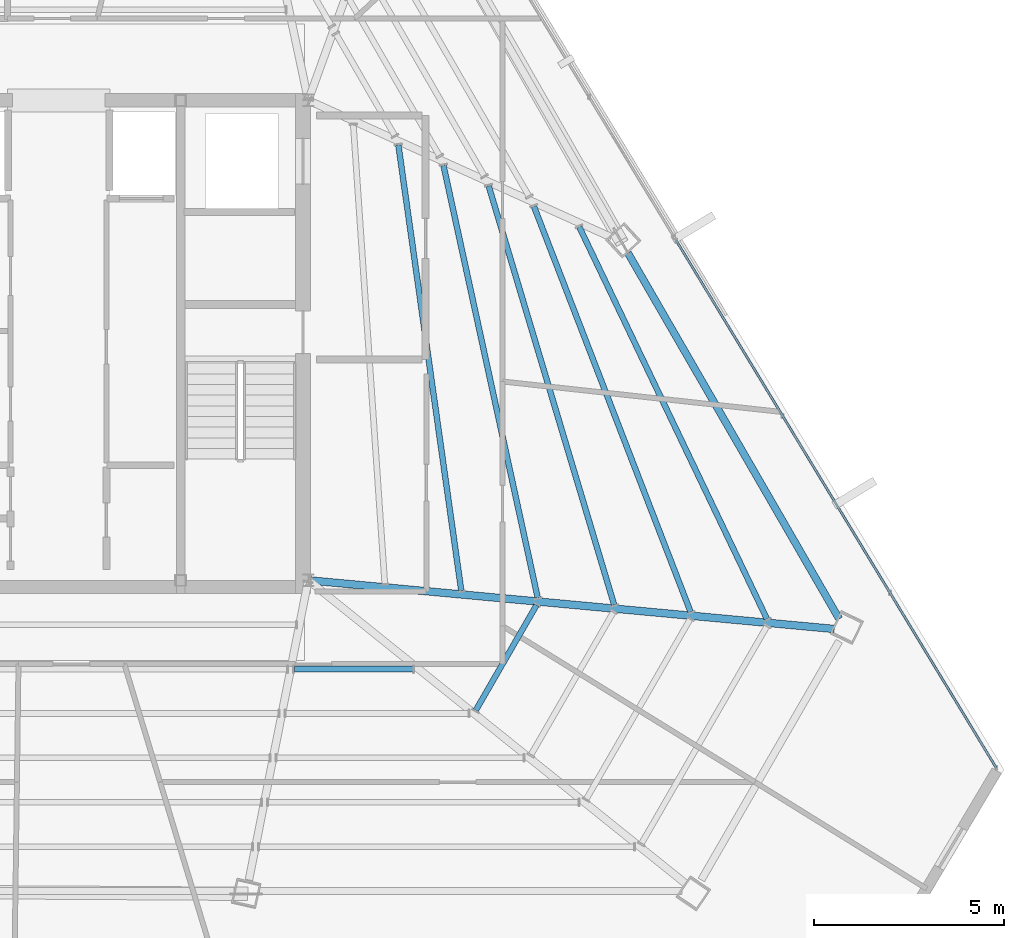
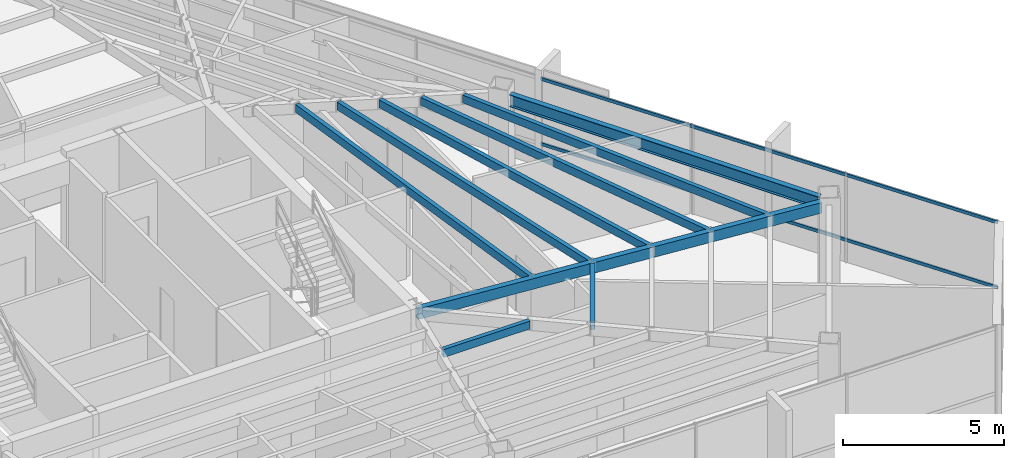
# One storey, part 24 of 47: 9 beams, 2 members, 1 element without a shape of its own.
"""IFC4 building model written with IfcOpenShell, lengths in metres."""

from ifc_helpers import new_model, si_unit, direction, frame, origin, origin_2d, place, context, subcontext, project, spatial, hollow_rectangle, i_section, extrude, source, transform, mapped, material, material_profile, profile_set, type_object, type_shapes, element, aggregate, save


model = new_model("IFC4")

# Units and contexts
model_context = context("Model", 3, precision=1e-05, world=origin(), true_north=direction((0.0, 1.0)))
body_context = subcontext(model_context, "Body", "Model", "MODEL_VIEW")
ifc_project = project(units=[si_unit("LENGTHUNIT", "METRE"), si_unit("AREAUNIT", "SQUARE_METRE"), si_unit("VOLUMEUNIT", "CUBIC_METRE"), si_unit("PLANEANGLEUNIT", "RADIAN"), si_unit("MASSUNIT", "GRAM", prefix="KILO")], contexts=[model_context])

# Site, building, storey
site_placement = place(None, origin())
site = spatial("IfcSite", under=ifc_project, at=site_placement, CompositionType="ELEMENT")
building_placement = place(site_placement, origin())
building = spatial("IfcBuilding", under=site, at=building_placement, Name="Caelisora Broadcast Tower", CompositionType="ELEMENT")
storey_placement = place(building_placement, frame((0.0, 0.0, 248.10009765625)))
storey = spatial("IfcBuildingStorey", under=building, at=storey_placement, Name="L65", CompositionType="ELEMENT", Elevation=248.10009765625)

# Beams
ifc_material_1 = material(Name="Steel Grade 350 (AS/NZS 3679.1)", Category="steel")
ifc_material_profile_1 = material_profile(ifc_material_1, i_section(OverallWidth=0.19091796875, OverallDepth=0.46044921875, WebThickness=0.010009765625, FlangeThickness=0.01611328125, at=origin_2d()), Name="Steel Grade 350 (AS/NZS 3679.1)")
ifc_profile_set_1 = profile_set([ifc_material_profile_1], Name="Steel Grade 350 (AS/NZS 3679.1)")
beam_type_1 = type_object("IfcBeamType", Name="PG06", PredefinedType="BEAM", material=ifc_profile_set_1)
shared_shape_1 = source(origin(), body_context, "Body", "SweptSolid", [
    extrude(i_section(OverallWidth=0.19091796875, OverallDepth=0.46044921875, WebThickness=0.010009765625, FlangeThickness=0.01611328125, at=origin_2d()), origin(), (0.0, 0.0, 1.0), 11.09130859375),
])
type_shapes(beam_type_1, [shared_shape_1])
beam_1_placement = place(storey_placement, frame((59.439208984375, 16.386474609375, 3.169677734375), z_axis=(-0.499995559283, 0.866027967618, 0.0), x_axis=(-0.866027967618, -0.499995559283, 0.0)))
element("IfcBeam", 1, at=beam_1_placement, inside=storey, type_object=beam_type_1, Name="L65 beam PG06", PredefinedType="BEAM", context=body_context, shape_type="MappedRepresentation", body=[
    mapped(shared_shape_1, transform((0.0, 0.0, 0.0), scale=1.0)),
])
ifc_material_2 = material(Name="Steel Grade 350 (AS/NZS 1163 C350L0)", Category="steel")
ifc_material_profile_2 = material_profile(ifc_material_2, hollow_rectangle(XDim=0.199951171875, YDim=0.39990234375, WallThickness=0.012451171875, at=origin_2d()), Name="Steel Grade 350 (AS/NZS 1163 C350L0)")
ifc_profile_set_2 = profile_set([ifc_material_profile_2], Name="Steel Grade 350 (AS/NZS 1163 C350L0)")
beam_type_2 = type_object("IfcBeamType", Name="PG07", PredefinedType="BEAM", material=ifc_profile_set_2)
shared_shape_2 = source(origin(), body_context, "Body", "SweptSolid", [
    extrude(hollow_rectangle(XDim=0.199951171875, YDim=0.39990234375, WallThickness=0.012451171875, at=origin_2d()), origin(), (0.0, 0.0, 1.0), 13.810546875),
])
type_shapes(beam_type_2, [shared_shape_2])
beam_2_placement = place(storey_placement, frame((45.559814453125, 17.39453125, 3.199951171875), z_axis=(0.995739802442, -0.092207623512, 0.0), x_axis=(0.092207623512, 0.995739802442, 0.0)))
element("IfcBeam", 2, at=beam_2_placement, inside=storey, type_object=beam_type_2, Name="L65 beam PG07", PredefinedType="BEAM", context=body_context, shape_type="MappedRepresentation", body=[
    mapped(shared_shape_2, transform((0.0, 0.0, 0.0), scale=1.0)),
])
ifc_material_profile_3 = material_profile(ifc_material_2, hollow_rectangle(XDim=0.14990234375, YDim=0.300048828125, WallThickness=0.010009765625, at=origin_2d()), Name="Steel Grade 350 (AS/NZS 1163 C350L0)")
ifc_profile_set_3 = profile_set([ifc_material_profile_3], Name="Steel Grade 350 (AS/NZS 1163 C350L0)")
beam_type_3 = type_object("IfcBeamType", Name="SB05", PredefinedType="JOIST", material=ifc_profile_set_3)
shared_shape_3 = source(origin(), body_context, "Body", "SweptSolid", [
    extrude(hollow_rectangle(XDim=0.14990234375, YDim=0.300048828125, WallThickness=0.010009765625, at=origin_2d()), origin(), (0.0, 0.0, 1.0), 11.814697265625),
])
beam_3_placement = place(storey_placement, frame((49.51708984375, 17.12548828125, 3.25), z_axis=(-0.139751902097, 0.99018655104, 0.0), x_axis=(-0.99018655104, -0.139751902097, 0.0)))
element("IfcBeam", 3, at=beam_3_placement, inside=storey, type_object=beam_type_3, Name="L65 beam SB05", PredefinedType="JOIST", context=body_context, shape_type="MappedRepresentation", body=[
    mapped(shared_shape_3, transform((0.0, 0.0, 0.0), scale=1.0)),
])
shared_shape_4 = source(origin(), body_context, "Body", "SweptSolid", [
    extrude(hollow_rectangle(XDim=0.14990234375, YDim=0.300048828125, WallThickness=0.010009765625, at=origin_2d()), origin(), (0.0, 0.0, 1.0), 11.61572265625),
])
beam_4_placement = place(storey_placement, frame((51.524658203125, 16.939697265625, 3.25), z_axis=(-0.2129784769, 0.977056891065, 0.0), x_axis=(-0.977056891065, -0.2129784769, 0.0)))
element("IfcBeam", 4, at=beam_4_placement, inside=storey, type_object=beam_type_3, Name="L65 beam SB05", PredefinedType="JOIST", context=body_context, shape_type="MappedRepresentation", body=[
    mapped(shared_shape_4, transform((0.0, 0.0, 0.0), scale=1.0)),
])
shared_shape_5 = source(origin(), body_context, "Body", "SweptSolid", [
    extrude(hollow_rectangle(XDim=0.14990234375, YDim=0.300048828125, WallThickness=0.010009765625, at=origin_2d()), origin(), (0.0, 0.0, 1.0), 11.48193359375),
])
beam_5_placement = place(storey_placement, frame((53.53173828125, 16.75390625, 3.25), z_axis=(-0.286965518725, 0.957940912094, 0.0), x_axis=(-0.957940912094, -0.286965518725, 0.0)))
element("IfcBeam", 5, at=beam_5_placement, inside=storey, type_object=beam_type_3, Name="L65 beam SB05", PredefinedType="JOIST", context=body_context, shape_type="MappedRepresentation", body=[
    mapped(shared_shape_5, transform((0.0, 0.0, 0.0), scale=1.0)),
])
shared_shape_6 = source(origin(), body_context, "Body", "SweptSolid", [
    extrude(hollow_rectangle(XDim=0.14990234375, YDim=0.300048828125, WallThickness=0.010009765625, at=origin_2d()), origin(), (0.0, 0.0, 1.0), 11.413818359375),
])
beam_6_placement = place(storey_placement, frame((57.543701171875, 16.3828125, 3.25), z_axis=(-0.431772597712, 0.901982496429, 0.0), x_axis=(-0.901982496429, -0.431772597712, 0.0)))
element("IfcBeam", 6, at=beam_6_placement, inside=storey, type_object=beam_type_3, Name="L65 beam SB05", PredefinedType="JOIST", context=body_context, shape_type="MappedRepresentation", body=[
    mapped(shared_shape_6, transform((0.0, 0.0, 0.0), scale=1.0)),
])
shared_shape_7 = source(origin(), body_context, "Body", "SweptSolid", [
    extrude(hollow_rectangle(XDim=0.14990234375, YDim=0.300048828125, WallThickness=0.010009765625, at=origin_2d()), origin(), (0.0, 0.0, 1.0), 3.1865234375),
])
beam_7_placement = place(storey_placement, frame((49.899658203125, 13.98779296875, 3.25), z_axis=(0.500012062035, 0.866018439653, 0.0), x_axis=(-0.866018439653, 0.500012062035, 0.0)))
element("IfcBeam", 7, at=beam_7_placement, inside=storey, type_object=beam_type_3, Name="L65 beam SB05", PredefinedType="JOIST", context=body_context, shape_type="MappedRepresentation", body=[
    mapped(shared_shape_7, transform((0.0, 0.0, 0.0), scale=1.0)),
])
shared_shape_8 = source(origin(), body_context, "Body", "SweptSolid", [
    extrude(hollow_rectangle(XDim=0.14990234375, YDim=0.300048828125, WallThickness=0.010009765625, at=origin_2d()), origin(), (0.0, 0.0, 1.0), 3.1064453125),
])
beam_8_placement = place(storey_placement, frame((45.13720703125, 15.068603515625, 3.25), z_axis=(1.0, 0.0, 0.0), x_axis=(0.0, 1.0, 0.0)))
element("IfcBeam", 8, at=beam_8_placement, inside=storey, type_object=beam_type_3, Name="L65 beam SB05", PredefinedType="JOIST", context=body_context, shape_type="MappedRepresentation", body=[
    mapped(shared_shape_8, transform((0.0, 0.0, 0.0), scale=1.0)),
])
shared_shape_9 = source(origin(), body_context, "Body", "SweptSolid", [
    extrude(hollow_rectangle(XDim=0.14990234375, YDim=0.300048828125, WallThickness=0.010009765625, at=origin_2d()), origin(), (0.0, 0.0, 1.0), 11.41455078125),
])
type_shapes(beam_type_3, [shared_shape_3, shared_shape_4, shared_shape_5, shared_shape_6, shared_shape_7, shared_shape_8, shared_shape_9])
beam_9_placement = place(storey_placement, frame((55.5380859375, 16.568359375, 3.25), z_axis=(-0.360334564455, 0.932823135251, 0.0), x_axis=(-0.932823135251, -0.360334564455, 0.0)))
element("IfcBeam", 9, at=beam_9_placement, inside=storey, type_object=beam_type_3, Name="L65 beam SB05", PredefinedType="JOIST", context=body_context, shape_type="MappedRepresentation", body=[
    mapped(shared_shape_9, transform((0.0, 0.0, 0.0), scale=1.0)),
])

# Curtain wall, members
ifc_material_3 = material(Name="Unitised Aluminium and Low-E Glass Curtain Wall", Category="glass")
curtain_wall_type = type_object("IfcCurtainWallType", Name="CW-Z5", PredefinedType="NOTDEFINED", material=ifc_material_3)
curtain_wall_placement = place(storey_placement, origin())
curtain_wall = element("IfcCurtainWall", 10, at=curtain_wall_placement, inside=storey, type_object=curtain_wall_type, Name="L65 curtain wall CW-Z5", PredefinedType="NOTDEFINED")
ifc_material_4 = material(Name="Aluminium 6063-T6 Anodised Terracotta Bronze", Category="aluminium")
ifc_material_profile_4 = material_profile(ifc_material_4, hollow_rectangle(XDim=0.06005859375, YDim=0.1201171875, WallThickness=0.0029296875, at=origin_2d()), Name="Aluminium 6063-T6 Anodised Terracotta Bronze")
ifc_profile_set_4 = profile_set([ifc_material_profile_4], Name="Aluminium 6063-T6 Anodised Terracotta Bronze")
member_type = type_object("IfcMemberType", Name="CWT-03", PredefinedType="USERDEFINED", material=ifc_profile_set_4)
shared_shape_10 = source(origin(), body_context, "Body", "SweptSolid", [
    extrude(hollow_rectangle(XDim=0.06005859375, YDim=0.1201171875, WallThickness=0.0029296875, at=origin_2d()), origin(), (0.0, 0.0, 1.0), 16.200927734375),
])
type_shapes(member_type, [shared_shape_10])
member_1_placement = place(storey_placement, frame((55.160888671875, 26.31982421875, 0.849853515625), z_axis=(0.518810604933, -0.854889206979, 0.0), x_axis=(0.854889206979, 0.518810604933, 0.0)))
member_1 = element("IfcMember", 11, at=member_1_placement, type_object=member_type, Name="L65-CW-B03 transom #1", ObjectType="TRANSOM", PredefinedType="USERDEFINED", context=body_context, shape_type="MappedRepresentation", body=[
    mapped(shared_shape_10, transform((0.0, 0.0, 0.0), scale=1.0)),
])
member_2_placement = place(storey_placement, frame((55.160888671875, 26.31982421875, 3.31982421875), z_axis=(0.518810604933, -0.854889206979, 0.0), x_axis=(0.854889206979, 0.518810604933, 0.0)))
member_2 = element("IfcMember", 12, at=member_2_placement, type_object=member_type, Name="L65-CW-B03 transom #2", ObjectType="TRANSOM", PredefinedType="USERDEFINED", context=body_context, shape_type="MappedRepresentation", body=[
    mapped(shared_shape_10, transform((0.0, 0.0, 0.0), scale=1.0)),
])
aggregate(curtain_wall, [member_1, member_2])

save(model, "model.ifc")
